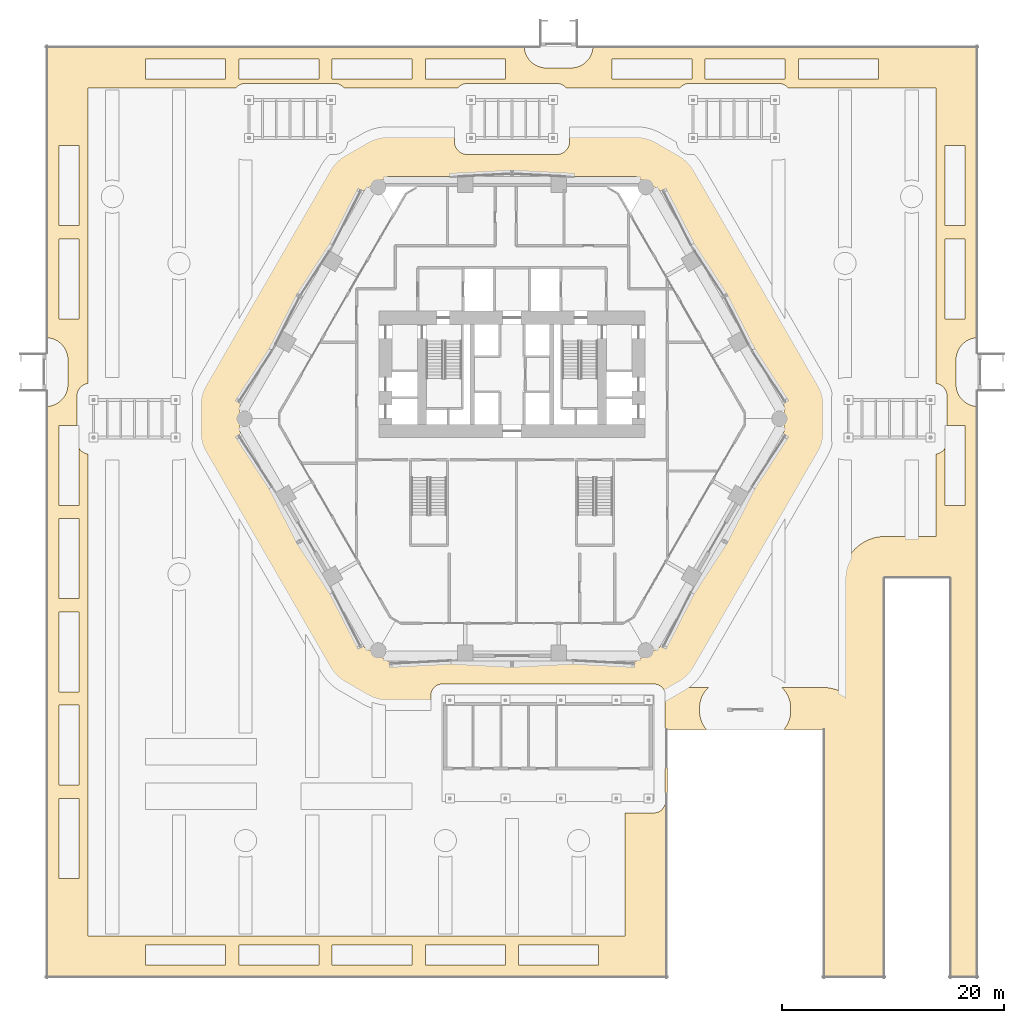
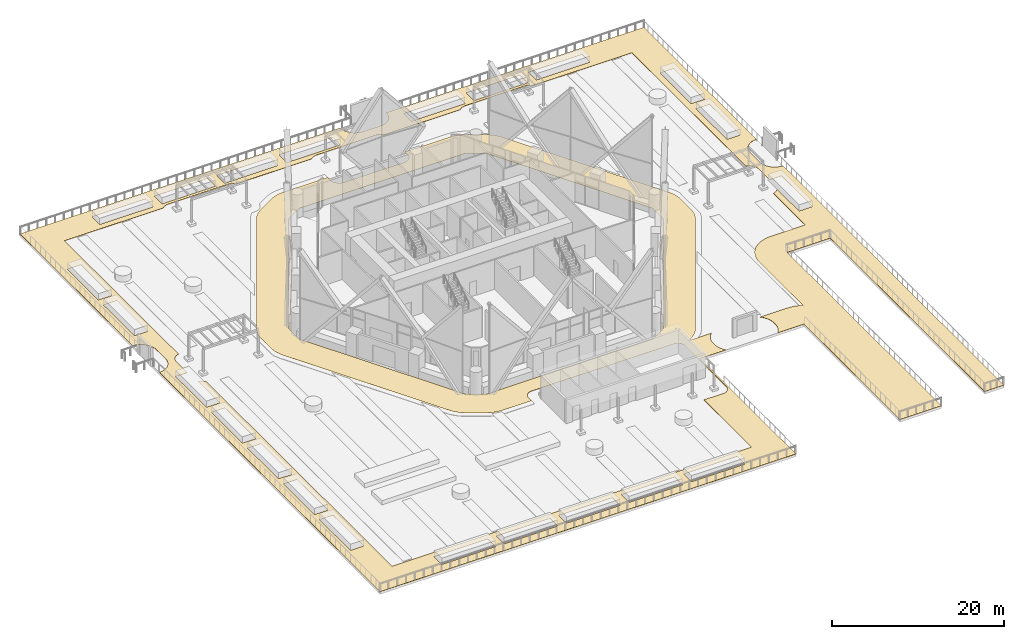
# One storey, part 65 of 71: 1 covering.
"""IFC4 building model written with IfcOpenShell, lengths in metres."""

from ifc_helpers import new_model, si_unit, direction, frame, origin, place, context, subcontext, project, spatial, polyline, outline, extrude, material, layer, layer_set, type_object, element, save


model = new_model("IFC4")

# Units and contexts
model_context = context("Model", 3, precision=1e-05, world=origin(), true_north=direction((0.0, 1.0)))
body_context = subcontext(model_context, "Body", "Model", "MODEL_VIEW")
ifc_project = project(units=[si_unit("LENGTHUNIT", "METRE"), si_unit("AREAUNIT", "SQUARE_METRE"), si_unit("VOLUMEUNIT", "CUBIC_METRE"), si_unit("PLANEANGLEUNIT", "RADIAN"), si_unit("MASSUNIT", "GRAM", prefix="KILO")], contexts=[model_context])

# Site, building, storey
site_placement = place(None, origin())
site = spatial("IfcSite", under=ifc_project, at=site_placement, CompositionType="ELEMENT")
building_placement = place(site_placement, origin())
building = spatial("IfcBuilding", under=site, at=building_placement, Name="Ostrander Bayou Hotel Tower", CompositionType="ELEMENT")
storey_placement = place(building_placement, frame((0.0, 0.0, 10.0)))
storey = spatial("IfcBuildingStorey", under=building, at=storey_placement, Name="L02", CompositionType="ELEMENT", Elevation=10.0)

# Covering
ifc_material = material(Name="Granite paving on bedding", Category="masonry")
ifc_layer = layer(ifc_material, 0.030029296875)
ifc_layer_set = layer_set([ifc_layer], Name="CV6 paving band 30 mm")
covering_type = type_object("IfcCoveringType", Name="CV6 paving band 30 mm", PredefinedType="FLOORING", material=ifc_layer_set)
covering_placement = place(storey_placement, origin())
element("IfcCovering", 1, at=covering_placement, inside=storey, type_object=covering_type, Name="PAVING BAND edge 1", PredefinedType="FLOORING", context=body_context, shape_type="SweptSolid", body=[
    extrude(outline(polyline([(39.39990234375, -14.39990234375), (33.60009765625, -14.39990234375), (33.60009765625, -50.39990234375), (28.0, -50.39990234375), (28.0, -28.0), (24.474609375, -28.0), (24.532470703125, -27.93603515625), (24.6787109375, -27.739013671875), (24.8046875, -27.528564453125), (24.90966796875, -27.306640625), (24.992431640625, -27.07568359375), (25.052001953125, -26.837646484375), (25.087890625, -26.594970703125), (25.10009765625, -26.35009765625), (25.10009765625, -26.050048828125), (25.087890625, -25.804931640625), (25.052001953125, -25.562255859375), (24.992431640625, -25.32421875), (24.90966796875, -25.09326171875), (24.8046875, -24.87158203125), (24.6787109375, -24.6611328125), (24.532470703125, -24.464111328125), (24.367919921875, -24.2822265625), (24.277099609375, -24.199951171875), (28.0, -24.199951171875), (28.37255859375, -24.21826171875), (28.7412109375, -24.27294921875), (29.10302734375, -24.363525390625), (29.4541015625, -24.4892578125), (29.791259765625, -24.648681640625), (29.800048828125, -24.65380859375), (29.800048828125, -14.39990234375), (29.818359375, -14.027587890625), (29.873046875, -13.65869140625), (29.963623046875, -13.296875), (30.08935546875, -12.94580078125), (30.248779296875, -12.608642578125), (30.4404296875, -12.288818359375), (30.66259765625, -11.9892578125), (30.9130859375, -11.712890625), (31.189208984375, -11.462646484375), (31.48876953125, -11.240478515625), (31.80859375, -11.048583984375), (32.145751953125, -10.889404296875), (32.496826171875, -10.763671875), (32.858642578125, -10.673095703125), (33.2275390625, -10.618408203125), (33.60009765625, -10.60009765625), (38.199951171875, -10.60009765625), (38.199951171875, -3.181884765625), (38.234130859375, -3.177001953125), (38.348388671875, -3.148193359375), (38.459228515625, -3.108642578125), (38.565673828125, -3.058349609375), (38.666748046875, -2.997802734375), (38.76123046875, -2.927490234375), (38.848388671875, -2.848388671875), (38.927490234375, -2.76123046875), (38.997802734375, -2.666748046875), (39.0, -2.6630859375), (39.0, -7.800048828125), (40.800048828125, -7.800048828125), (40.800048828125, -0.60009765625), (39.199951171875, -0.60009765625), (39.199951171875, 2.0), (39.194091796875, 2.11767578125), (39.177001953125, 2.234130859375), (39.148193359375, 2.348388671875), (39.108642578125, 2.459228515625), (39.058349609375, 2.565673828125), (38.997802734375, 2.666748046875), (38.927490234375, 2.76123046875), (38.848388671875, 2.848388671875), (38.76123046875, 2.927490234375), (38.666748046875, 2.997802734375), (38.565673828125, 3.058349609375), (38.459228515625, 3.108642578125), (38.348388671875, 3.148193359375), (38.234130859375, 3.177001953125), (38.199951171875, 3.181884765625), (38.199951171875, 29.800048828125), (24.892578125, 29.800048828125), (24.848388671875, 29.848388671875), (24.76123046875, 29.927490234375), (24.666748046875, 29.997802734375), (24.565673828125, 30.058349609375), (24.459228515625, 30.108642578125), (24.348388671875, 30.148193359375), (24.234130859375, 30.177001953125), (24.11767578125, 30.194091796875), (24.0, 30.199951171875), (16.0, 30.199951171875), (15.88232421875, 30.194091796875), (15.765869140625, 30.177001953125), (15.651611328125, 30.148193359375), (15.540771484375, 30.108642578125), (15.434326171875, 30.058349609375), (15.333251953125, 29.997802734375), (15.23876953125, 29.927490234375), (15.151611328125, 29.848388671875), (15.107421875, 29.800048828125), (4.892578125, 29.800048828125), (4.848388671875, 29.848388671875), (4.76123046875, 29.927490234375), (4.666748046875, 29.997802734375), (4.565673828125, 30.058349609375), (4.459228515625, 30.108642578125), (4.348388671875, 30.148193359375), (4.234130859375, 30.177001953125), (4.11767578125, 30.194091796875), (4.0, 30.199951171875), (-4.0, 30.199951171875), (-4.11767578125, 30.194091796875), (-4.234130859375, 30.177001953125), (-4.348388671875, 30.148193359375), (-4.459228515625, 30.108642578125), (-4.565673828125, 30.058349609375), (-4.666748046875, 29.997802734375), (-4.76123046875, 29.927490234375), (-4.848388671875, 29.848388671875), (-4.892578125, 29.800048828125), (-15.107421875, 29.800048828125), (-15.151611328125, 29.848388671875), (-15.23876953125, 29.927490234375), (-15.333251953125, 29.997802734375), (-15.434326171875, 30.058349609375), (-15.540771484375, 30.108642578125), (-15.651611328125, 30.148193359375), (-15.765869140625, 30.177001953125), (-15.88232421875, 30.194091796875), (-16.0, 30.199951171875), (-24.0, 30.199951171875), (-24.11767578125, 30.194091796875), (-24.234130859375, 30.177001953125), (-24.348388671875, 30.148193359375), (-24.459228515625, 30.108642578125), (-24.565673828125, 30.058349609375), (-24.666748046875, 29.997802734375), (-24.76123046875, 29.927490234375), (-24.848388671875, 29.848388671875), (-24.892578125, 29.800048828125), (-38.199951171875, 29.800048828125), (-38.199951171875, 3.181884765625), (-38.234130859375, 3.177001953125), (-38.348388671875, 3.148193359375), (-38.459228515625, 3.108642578125), (-38.565673828125, 3.058349609375), (-38.666748046875, 2.997802734375), (-38.76123046875, 2.927490234375), (-38.848388671875, 2.848388671875), (-38.927490234375, 2.76123046875), (-38.997802734375, 2.666748046875), (-39.058349609375, 2.565673828125), (-39.108642578125, 2.459228515625), (-39.148193359375, 2.348388671875), (-39.177001953125, 2.234130859375), (-39.194091796875, 2.11767578125), (-39.199951171875, 2.0), (-39.199951171875, -0.60009765625), (-40.800048828125, -0.60009765625), (-40.800048828125, -7.800048828125), (-39.0, -7.800048828125), (-39.0, -2.6630859375), (-38.997802734375, -2.666748046875), (-38.927490234375, -2.76123046875), (-38.848388671875, -2.848388671875), (-38.76123046875, -2.927490234375), (-38.666748046875, -2.997802734375), (-38.565673828125, -3.058349609375), (-38.459228515625, -3.108642578125), (-38.348388671875, -3.148193359375), (-38.234130859375, -3.177001953125), (-38.199951171875, -3.181884765625), (-38.199951171875, -46.60009765625), (10.199951171875, -46.60009765625), (10.199951171875, -35.5), (12.800048828125, -35.5), (12.89794921875, -35.4951171875), (12.9951171875, -35.480712890625), (13.09033203125, -35.456787109375), (13.1826171875, -35.423828125), (13.271484375, -35.3818359375), (13.355712890625, -35.33154296875), (13.434326171875, -35.27294921875), (13.507080078125, -35.20703125), (13.572998046875, -35.134521484375), (13.631591796875, -35.0556640625), (13.681884765625, -34.971435546875), (13.723876953125, -34.8828125), (13.7568359375, -34.790283203125), (13.78076171875, -34.695068359375), (13.795166015625, -34.597900390625), (13.800048828125, -34.5), (13.800048828125, -24.89990234375), (13.795166015625, -24.802001953125), (13.78076171875, -24.704833984375), (13.7568359375, -24.609619140625), (13.723876953125, -24.517333984375), (13.681884765625, -24.4287109375), (13.631591796875, -24.344482421875), (13.572998046875, -24.265625), (13.507080078125, -24.19287109375), (13.434326171875, -24.126953125), (13.355712890625, -24.068603515625), (13.271484375, -24.01806640625), (13.1826171875, -23.97607421875), (13.09033203125, -23.943115234375), (12.9951171875, -23.919189453125), (12.89794921875, -23.90478515625), (12.800048828125, -23.89990234375), (-6.300048828125, -23.89990234375), (-6.39794921875, -23.90478515625), (-6.4951171875, -23.919189453125), (-6.59033203125, -23.943115234375), (-6.6826171875, -23.97607421875), (-6.771484375, -24.01806640625), (-6.855712890625, -24.068603515625), (-6.934326171875, -24.126953125), (-7.007080078125, -24.19287109375), (-7.072998046875, -24.265625), (-7.131591796875, -24.344482421875), (-7.181884765625, -24.4287109375), (-7.223876953125, -24.517333984375), (-7.2568359375, -24.609619140625), (-7.28076171875, -24.704833984375), (-7.295166015625, -24.802001953125), (-7.300048828125, -24.89990234375), (-7.300048828125, -25.60009765625), (-11.20068359375, -25.60009765625), (-11.597900390625, -25.5791015625), (-11.99072265625, -25.51708984375), (-12.375, -25.4140625), (-12.74609375, -25.271484375), (-13.1005859375, -25.0908203125), (-15.17919921875, -23.890869140625), (-15.5126953125, -23.67431640625), (-15.82177734375, -23.424072265625), (-16.10302734375, -23.142578125), (-16.353271484375, -22.83349609375), (-16.570068359375, -22.5), (-27.7705078125, -3.10009765625), (-27.951171875, -2.74560546875), (-28.09375, -2.374267578125), (-28.196533203125, -1.989990234375), (-28.2587890625, -1.59716796875), (-28.27978515625, -1.199951171875), (-28.27978515625, 1.199951171875), (-28.2587890625, 1.59716796875), (-28.196533203125, 1.989990234375), (-28.09375, 2.374267578125), (-27.951171875, 2.74560546875), (-27.7705078125, 3.10009765625), (-16.570068359375, 22.5), (-16.353271484375, 22.83349609375), (-16.10302734375, 23.142578125), (-15.82177734375, 23.424072265625), (-15.5126953125, 23.67431640625), (-15.17919921875, 23.890869140625), (-13.1005859375, 25.0908203125), (-12.74609375, 25.271484375), (-12.375, 25.4140625), (-11.99072265625, 25.51708984375), (-11.597900390625, 25.5791015625), (-11.20068359375, 25.60009765625), (-5.199951171875, 25.60009765625), (-5.199951171875, 25.0), (-5.194091796875, 24.88232421875), (-5.177001953125, 24.765869140625), (-5.148193359375, 24.651611328125), (-5.108642578125, 24.540771484375), (-5.058349609375, 24.434326171875), (-4.997802734375, 24.333251953125), (-4.927490234375, 24.23876953125), (-4.848388671875, 24.151611328125), (-4.76123046875, 24.072509765625), (-4.666748046875, 24.002197265625), (-4.565673828125, 23.941650390625), (-4.459228515625, 23.891357421875), (-4.348388671875, 23.851806640625), (-4.234130859375, 23.822998046875), (-4.11767578125, 23.805908203125), (-4.0, 23.800048828125), (4.0, 23.800048828125), (4.11767578125, 23.805908203125), (4.234130859375, 23.822998046875), (4.348388671875, 23.851806640625), (4.459228515625, 23.891357421875), (4.565673828125, 23.941650390625), (4.666748046875, 24.002197265625), (4.76123046875, 24.072509765625), (4.848388671875, 24.151611328125), (4.927490234375, 24.23876953125), (4.997802734375, 24.333251953125), (5.058349609375, 24.434326171875), (5.108642578125, 24.540771484375), (5.148193359375, 24.651611328125), (5.177001953125, 24.765869140625), (5.194091796875, 24.88232421875), (5.199951171875, 25.0), (5.199951171875, 25.60009765625), (11.20068359375, 25.60009765625), (11.597900390625, 25.5791015625), (11.99072265625, 25.51708984375), (12.375, 25.4140625), (12.74609375, 25.271484375), (13.1005859375, 25.0908203125), (15.17919921875, 23.890869140625), (15.5126953125, 23.67431640625), (15.82177734375, 23.424072265625), (16.10302734375, 23.142578125), (16.353271484375, 22.83349609375), (16.570068359375, 22.5), (27.7705078125, 3.10009765625), (27.951171875, 2.74560546875), (28.09375, 2.374267578125), (28.196533203125, 1.989990234375), (28.2587890625, 1.59716796875), (28.27978515625, 1.199951171875), (28.27978515625, -1.199951171875), (28.2587890625, -1.59716796875), (28.196533203125, -1.989990234375), (28.09375, -2.374267578125), (27.951171875, -2.74560546875), (27.7705078125, -3.10009765625), (16.570068359375, -22.5), (16.353271484375, -22.83349609375), (16.10302734375, -23.142578125), (15.82177734375, -23.424072265625), (15.5126953125, -23.67431640625), (15.17919921875, -23.890869140625), (14.643798828125, -24.199951171875), (17.722900390625, -24.199951171875), (17.632080078125, -24.2822265625), (17.467529296875, -24.464111328125), (17.3212890625, -24.6611328125), (17.1953125, -24.87158203125), (17.09033203125, -25.09326171875), (17.007568359375, -25.32421875), (16.947998046875, -25.562255859375), (16.912109375, -25.804931640625), (16.89990234375, -26.050048828125), (16.89990234375, -26.35009765625), (16.912109375, -26.594970703125), (16.947998046875, -26.837646484375), (17.007568359375, -27.07568359375), (17.09033203125, -27.306640625), (17.1953125, -27.528564453125), (17.3212890625, -27.739013671875), (17.467529296875, -27.93603515625), (17.525390625, -28.0), (14.0, -28.0), (14.0, -50.39990234375), (-42.0, -50.39990234375), (-42.0, 1.10009765625), (-41.803955078125, 1.109619140625), (-41.60986328125, 1.138427734375), (-41.41943359375, 1.18603515625), (-41.234619140625, 1.252197265625), (-41.05712890625, 1.336181640625), (-40.888916015625, 1.43701171875), (-40.731201171875, 1.553955078125), (-40.585693359375, 1.685791015625), (-40.4541015625, 1.831298828125), (-40.337158203125, 1.989013671875), (-40.236083984375, 2.1572265625), (-40.152099609375, 2.334716796875), (-40.086181640625, 2.519287109375), (-40.038330078125, 2.709716796875), (-40.009521484375, 2.904052734375), (-40.0, 3.10009765625), (-40.0, 5.300048828125), (-40.009521484375, 5.49609375), (-40.038330078125, 5.690185546875), (-40.086181640625, 5.880615234375), (-40.152099609375, 6.0654296875), (-40.236083984375, 6.242919921875), (-40.337158203125, 6.4111328125), (-40.4541015625, 6.56884765625), (-40.585693359375, 6.714111328125), (-40.731201171875, 6.845947265625), (-40.888916015625, 6.962890625), (-41.05712890625, 7.063720703125), (-41.234619140625, 7.147705078125), (-41.41943359375, 7.2138671875), (-41.60986328125, 7.26171875), (-41.803955078125, 7.290283203125), (-42.0, 7.300048828125), (-42.0, 33.60009765625), (1.10009765625, 33.60009765625), (1.109619140625, 33.404052734375), (1.138427734375, 33.209716796875), (1.18603515625, 33.019287109375), (1.252197265625, 32.834716796875), (1.336181640625, 32.6572265625), (1.43701171875, 32.489013671875), (1.553955078125, 32.331298828125), (1.685791015625, 32.185791015625), (1.831298828125, 32.053955078125), (1.989013671875, 31.93701171875), (2.1572265625, 31.836181640625), (2.334716796875, 31.752197265625), (2.519287109375, 31.68603515625), (2.709716796875, 31.638427734375), (2.904052734375, 31.609619140625), (3.10009765625, 31.60009765625), (5.300048828125, 31.60009765625), (5.49609375, 31.609619140625), (5.690185546875, 31.638427734375), (5.880615234375, 31.68603515625), (6.0654296875, 31.752197265625), (6.242919921875, 31.836181640625), (6.4111328125, 31.93701171875), (6.56884765625, 32.053955078125), (6.714111328125, 32.185791015625), (6.845947265625, 32.331298828125), (6.962890625, 32.489013671875), (7.063720703125, 32.6572265625), (7.147705078125, 32.834716796875), (7.2138671875, 33.019287109375), (7.26171875, 33.209716796875), (7.290283203125, 33.404052734375), (7.300048828125, 33.60009765625), (42.0, 33.60009765625), (42.0, 7.300048828125), (41.803955078125, 7.290283203125), (41.60986328125, 7.26171875), (41.41943359375, 7.2138671875), (41.234619140625, 7.147705078125), (41.05712890625, 7.063720703125), (40.888916015625, 6.962890625), (40.731201171875, 6.845947265625), (40.585693359375, 6.714111328125), (40.4541015625, 6.56884765625), (40.337158203125, 6.4111328125), (40.236083984375, 6.242919921875), (40.152099609375, 6.0654296875), (40.086181640625, 5.880615234375), (40.038330078125, 5.690185546875), (40.009521484375, 5.49609375), (40.0, 5.300048828125), (40.0, 3.10009765625), (40.009521484375, 2.904052734375), (40.038330078125, 2.709716796875), (40.086181640625, 2.519287109375), (40.152099609375, 2.334716796875), (40.236083984375, 2.1572265625), (40.337158203125, 1.989013671875), (40.4541015625, 1.831298828125), (40.585693359375, 1.685791015625), (40.731201171875, 1.553955078125), (40.888916015625, 1.43701171875), (41.05712890625, 1.336181640625), (41.234619140625, 1.252197265625), (41.41943359375, 1.18603515625), (41.60986328125, 1.138427734375), (41.803955078125, 1.109619140625), (42.0, 1.10009765625), (42.0, -50.39990234375), (39.39990234375, -50.39990234375), (39.39990234375, -14.39990234375)]), holes=[polyline([(13.279052734375, -20.60009765625), (24.479736328125, -1.199951171875), (24.479736328125, 1.199951171875), (13.279052734375, 20.60009765625), (11.20068359375, 21.800048828125), (-11.20068359375, 21.800048828125), (-13.279052734375, 20.60009765625), (-24.479736328125, 1.199951171875), (-24.479736328125, -1.199951171875), (-13.279052734375, -20.60009765625), (-11.20068359375, -21.800048828125), (11.20068359375, -21.800048828125), (13.279052734375, -20.60009765625)]), polyline([(-25.800048828125, -49.199951171875), (-25.800048828125, -47.39990234375), (-33.0, -47.39990234375), (-33.0, -49.199951171875), (-25.800048828125, -49.199951171875)]), polyline([(-39.0, -41.39990234375), (-39.0, -34.199951171875), (-40.800048828125, -34.199951171875), (-40.800048828125, -41.39990234375), (-39.0, -41.39990234375)]), polyline([(-39.0, -33.0), (-39.0, -25.800048828125), (-40.800048828125, -25.800048828125), (-40.800048828125, -33.0), (-39.0, -33.0)]), polyline([(-39.0, -24.60009765625), (-39.0, -17.39990234375), (-40.800048828125, -17.39990234375), (-40.800048828125, -24.60009765625), (-39.0, -24.60009765625)]), polyline([(-40.800048828125, -16.199951171875), (-39.0, -16.199951171875), (-39.0, -9.0), (-40.800048828125, -9.0), (-40.800048828125, -16.199951171875)]), polyline([(-40.800048828125, 9.0), (-39.0, 9.0), (-39.0, 16.199951171875), (-40.800048828125, 16.199951171875), (-40.800048828125, 9.0)]), polyline([(-40.800048828125, 17.39990234375), (-39.0, 17.39990234375), (-39.0, 24.60009765625), (-40.800048828125, 24.60009765625), (-40.800048828125, 17.39990234375)]), polyline([(-33.0, 30.60009765625), (-25.800048828125, 30.60009765625), (-25.800048828125, 32.39990234375), (-33.0, 32.39990234375), (-33.0, 30.60009765625)]), polyline([(-16.199951171875, -49.199951171875), (-9.0, -49.199951171875), (-9.0, -47.39990234375), (-16.199951171875, -47.39990234375), (-16.199951171875, -49.199951171875)]), polyline([(0.60009765625, -49.199951171875), (7.800048828125, -49.199951171875), (7.800048828125, -47.39990234375), (0.60009765625, -47.39990234375), (0.60009765625, -49.199951171875)]), polyline([(-0.60009765625, -49.199951171875), (-0.60009765625, -47.39990234375), (-7.800048828125, -47.39990234375), (-7.800048828125, -49.199951171875), (-0.60009765625, -49.199951171875)]), polyline([(-24.60009765625, -49.199951171875), (-17.39990234375, -49.199951171875), (-17.39990234375, -47.39990234375), (-24.60009765625, -47.39990234375), (-24.60009765625, -49.199951171875)]), polyline([(-24.60009765625, 30.60009765625), (-17.39990234375, 30.60009765625), (-17.39990234375, 32.39990234375), (-24.60009765625, 32.39990234375), (-24.60009765625, 30.60009765625)]), polyline([(-9.0, 30.60009765625), (-9.0, 32.39990234375), (-16.199951171875, 32.39990234375), (-16.199951171875, 30.60009765625), (-9.0, 30.60009765625)]), polyline([(-7.800048828125, 30.60009765625), (-0.60009765625, 30.60009765625), (-0.60009765625, 32.39990234375), (-7.800048828125, 32.39990234375), (-7.800048828125, 30.60009765625)]), polyline([(40.800048828125, 9.0), (40.800048828125, 16.199951171875), (39.0, 16.199951171875), (39.0, 9.0), (40.800048828125, 9.0)]), polyline([(40.800048828125, 17.39990234375), (40.800048828125, 24.60009765625), (39.0, 24.60009765625), (39.0, 17.39990234375), (40.800048828125, 17.39990234375)]), polyline([(25.800048828125, 30.60009765625), (33.0, 30.60009765625), (33.0, 32.39990234375), (25.800048828125, 32.39990234375), (25.800048828125, 30.60009765625)]), polyline([(17.39990234375, 30.60009765625), (24.60009765625, 30.60009765625), (24.60009765625, 32.39990234375), (17.39990234375, 32.39990234375), (17.39990234375, 30.60009765625)]), polyline([(9.0, 30.60009765625), (16.199951171875, 30.60009765625), (16.199951171875, 32.39990234375), (9.0, 32.39990234375), (9.0, 30.60009765625)])]), origin(), (0.0, 0.0, 1.0), 0.030029296875),
])

save(model, "model.ifc")
